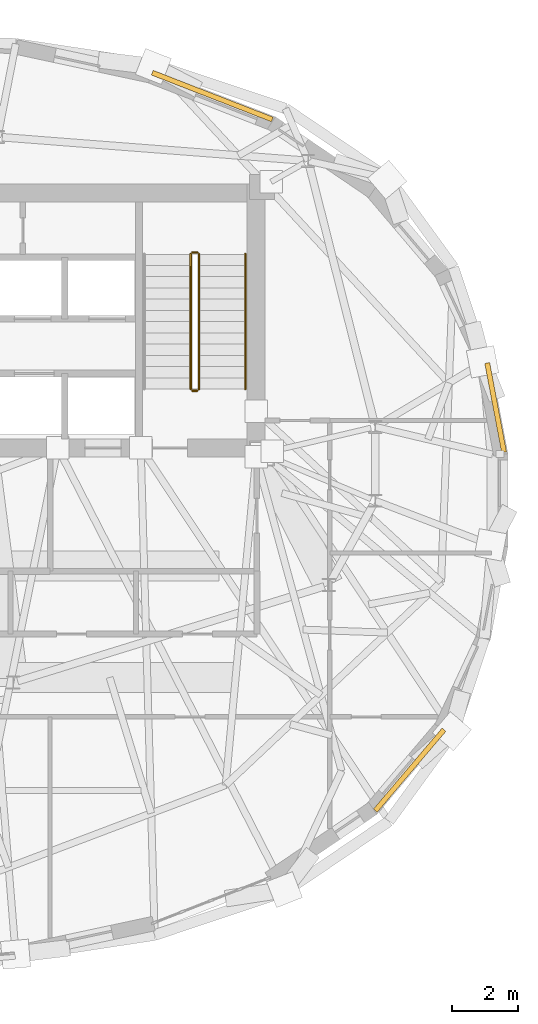
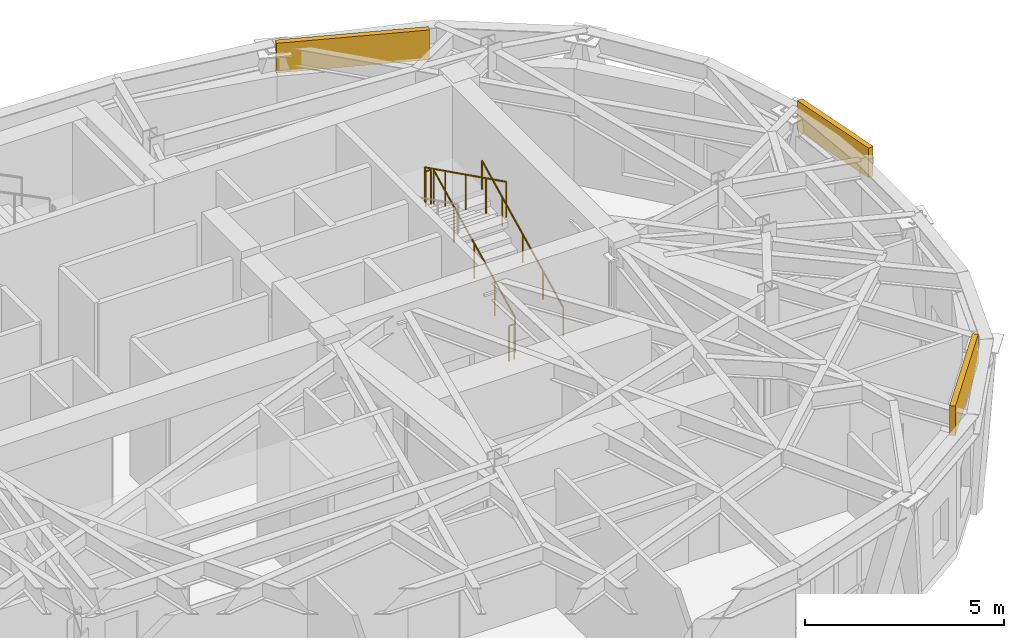
# One storey, part 15 of 15: 5 railings, 3 coverings.
"""IFC4 building model written with IfcOpenShell, lengths in metres."""

from ifc_helpers import new_model, si_unit, direction, frame, origin, origin_2d, place, context, subcontext, project, spatial, rectangle, circle, extrude, material, layer, layer_set, type_object, element, save


model = new_model("IFC4")

# Units and contexts
model_context = context("Model", 3, precision=1e-05, world=origin(), true_north=direction((0.0, 1.0)))
body_context = subcontext(model_context, "Body", "Model", "MODEL_VIEW")
ifc_project = project(units=[si_unit("LENGTHUNIT", "METRE"), si_unit("AREAUNIT", "SQUARE_METRE"), si_unit("VOLUMEUNIT", "CUBIC_METRE"), si_unit("PLANEANGLEUNIT", "RADIAN"), si_unit("MASSUNIT", "GRAM", prefix="KILO")], contexts=[model_context])

# Site, building, storey
site_placement = place(None, origin())
site = spatial("IfcSite", under=ifc_project, at=site_placement, CompositionType="ELEMENT")
building_placement = place(site_placement, origin())
building = spatial("IfcBuilding", under=site, at=building_placement, Name="Keldmark Tower", CompositionType="ELEMENT")
storey_placement = place(building_placement, frame((0.0, 0.0, 260.39990234375)))
storey = spatial("IfcBuildingStorey", under=building, at=storey_placement, Name="L74", CompositionType="ELEMENT", Elevation=260.39990234375)

# Coverings
ifc_material_1 = material(Name="Honed Kasota Buff Dolomitic Limestone", Category="masonry")
ifc_layer = layer(ifc_material_1, 0.074951171875)
ifc_layer_set = layer_set([ifc_layer], Name="Honed Kasota Buff Dolomitic Limestone")
covering_type = type_object("IfcCoveringType", Name="Kasota Buff Limestone Spandrel Cladding Band", PredefinedType="CLADDING", material=ifc_layer_set)
covering_1_placement = place(storey_placement, frame((20.659912109375, 2.7900390625, 3.47021484375), z_axis=(0.0, 0.0, 1.0), x_axis=(-0.185598015619, 0.982625756124, 0.0)))
element("IfcCovering", 1, at=covering_1_placement, inside=storey, type_object=covering_type, Name="L74 Kasota Limestone Spandrel Band 01", PredefinedType="CLADDING", context=body_context, shape_type="SweptSolid", body=[
    extrude(rectangle(XDim=2.74169921875, YDim=0.14990234375, at=origin_2d()), origin(), (0.0, 0.0, 1.0), 0.909912109375),
])
covering_2_placement = place(storey_placement, frame((12.102294921875, 12.199462890625, 3.47021484375), z_axis=(0.0, 0.0, 1.0), x_axis=(-0.931634156722, 0.363397575707, 0.0)))
element("IfcCovering", 2, at=covering_2_placement, inside=storey, type_object=covering_type, Name="L74 Kasota Limestone Spandrel Band 05", PredefinedType="CLADDING", context=body_context, shape_type="SweptSolid", body=[
    extrude(rectangle(XDim=3.890380859375, YDim=0.14990234375, at=origin_2d()), origin(), (0.0, 0.0, 1.0), 0.909912109375),
])
covering_3_placement = place(storey_placement, frame((18.062744140625, -8.160400390625, 3.47021484375), z_axis=(0.0, 0.0, 1.0), x_axis=(0.64708257544, 0.762419924033, 0.0)))
element("IfcCovering", 3, at=covering_3_placement, inside=storey, type_object=covering_type, Name="L74 Kasota Limestone Spandrel Band 29", PredefinedType="CLADDING", context=body_context, shape_type="SweptSolid", body=[
    extrude(rectangle(XDim=3.2021484375, YDim=0.14990234375, at=origin_2d()), origin(), (0.0, 0.0, 1.0), 0.909912109375),
])

# Railings
ifc_material_2 = material(Name="Painted Steel ASTM A500 Grade B", Category="steel")
railing_type_1 = type_object("IfcRailingType", Name="Painted Steel Stair Well Guard 1100 mm", PredefinedType="GUARDRAIL", material=ifc_material_2)
railing_1_placement = place(storey_placement, frame((11.699951171875, 3.35009765625, 0.16943359375)))
element("IfcRailing", 4, at=railing_1_placement, inside=storey, type_object=railing_type_1, Name="L74 ST2 stair guard 1", PredefinedType="GUARDRAIL", context=body_context, shape_type="SweptSolid", body=[
    extrude(circle(Radius=0.02392578125, at=origin_2d()), frame((0.0, 0.0, 1.076171875), z_axis=(0.0, 0.895229316009, 0.445605735777), x_axis=(-1.0, 0.0, 0.0)), (0.0, 0.0, 1.0), 4.557373046875),
    extrude(circle(Radius=0.02099609375, at=origin_2d()), origin(), (0.0, 0.0, 1.0), 1.052001953125),
    extrude(circle(Radius=0.02099609375, at=origin_2d()), frame((0.0, 1.02001953125, 0.5078125)), (0.0, 0.0, 1.0), 1.052001953125),
    extrude(circle(Radius=0.02099609375, at=origin_2d()), frame((0.0, 2.0400390625, 1.015380859375)), (0.0, 0.0, 1.0), 1.052001953125),
    extrude(circle(Radius=0.02099609375, at=origin_2d()), frame((0.0, 3.059814453125, 1.52294921875)), (0.0, 0.0, 1.0), 1.052001953125),
    extrude(circle(Radius=0.02099609375, at=origin_2d()), frame((0.0, 4.079833984375, 2.03076171875)), (0.0, 0.0, 1.0), 1.052001953125),
])
railing_2_placement = place(storey_placement, frame((11.64990234375, 7.47998046875, 2.2001953125)))
element("IfcRailing", 5, at=railing_2_placement, inside=storey, type_object=railing_type_1, Name="L74 ST2 stair guard 2", PredefinedType="GUARDRAIL", context=body_context, shape_type="SweptSolid", body=[
    extrude(circle(Radius=0.02392578125, at=origin_2d()), frame((0.0, 0.0, 1.076171875), z_axis=(-1.0, 0.0, 0.0), x_axis=(0.0, -1.0, 0.0)), (0.0, 0.0, 1.0), 0.14990234375),
    extrude(circle(Radius=0.02099609375, at=origin_2d()), origin(), (0.0, 0.0, 1.0), 1.052001953125),
    extrude(circle(Radius=0.02099609375, at=origin_2d()), frame((-0.14990234375, 0.0, 0.0)), (0.0, 0.0, 1.0), 1.052001953125),
])
railing_3_placement = place(storey_placement, frame((11.449951171875, 7.429931640625, 2.369384765625)))
element("IfcRailing", 6, at=railing_3_placement, inside=storey, type_object=railing_type_1, Name="L74 ST2 stair guard 3", PredefinedType="GUARDRAIL", context=body_context, shape_type="SweptSolid", body=[
    extrude(circle(Radius=0.02392578125, at=origin_2d()), frame((0.0, 0.0, 1.076171875), z_axis=(0.0, -0.895229316009, 0.445605735777), x_axis=(1.0, 0.0, 0.0)), (0.0, 0.0, 1.0), 4.557373046875),
    extrude(circle(Radius=0.02099609375, at=origin_2d()), origin(), (0.0, 0.0, 1.0), 1.052001953125),
    extrude(circle(Radius=0.02099609375, at=origin_2d()), frame((0.0, -1.02001953125, 0.5078125)), (0.0, 0.0, 1.0), 1.052001953125),
    extrude(circle(Radius=0.02099609375, at=origin_2d()), frame((0.0, -2.0400390625, 1.015380859375)), (0.0, 0.0, 1.0), 1.052001953125),
    extrude(circle(Radius=0.02099609375, at=origin_2d()), frame((0.0, -3.059814453125, 1.52294921875)), (0.0, 0.0, 1.0), 1.052001953125),
    extrude(circle(Radius=0.02099609375, at=origin_2d()), frame((0.0, -4.079833984375, 2.03076171875)), (0.0, 0.0, 1.0), 1.052001953125),
])
railing_4_placement = place(storey_placement, frame((11.64990234375, 3.300048828125, 0.0)))
element("IfcRailing", 7, at=railing_4_placement, inside=storey, type_object=railing_type_1, Name="L74 ST2 stair guard 4", PredefinedType="GUARDRAIL", context=body_context, shape_type="SweptSolid", body=[
    extrude(circle(Radius=0.02392578125, at=origin_2d()), frame((0.0, 0.0, 1.076171875), z_axis=(-1.0, 0.0, 0.0), x_axis=(0.0, -1.0, 0.0)), (0.0, 0.0, 1.0), 0.14990234375),
    extrude(circle(Radius=0.02099609375, at=origin_2d()), origin(), (0.0, 0.0, 1.0), 1.052001953125),
    extrude(circle(Radius=0.02099609375, at=origin_2d()), frame((-0.14990234375, 0.0, 0.0)), (0.0, 0.0, 1.0), 1.052001953125),
])
ifc_material_3 = material(Name="Stainless Steel AISI 316L", Category="steel")
railing_type_2 = type_object("IfcRailingType", Name="Stainless Steel Stair Handrail 900 mm", PredefinedType="HANDRAIL", material=ifc_material_3)
railing_5_placement = place(storey_placement, frame((13.10009765625, 3.35009765625, 0.16943359375)))
element("IfcRailing", 8, at=railing_5_placement, inside=storey, type_object=railing_type_2, Name="L74 ST2 stair handrail 1", PredefinedType="HANDRAIL", context=body_context, shape_type="SweptSolid", body=[
    extrude(circle(Radius=0.02392578125, at=origin_2d()), frame((0.0, 0.0, 0.8759765625), z_axis=(0.0, 0.895229316009, 0.445605735777), x_axis=(-1.0, 0.0, 0.0)), (0.0, 0.0, 1.0), 4.557373046875),
    extrude(circle(Radius=0.02099609375, at=origin_2d()), origin(), (0.0, 0.0, 1.0), 0.851806640625),
    extrude(circle(Radius=0.02099609375, at=origin_2d()), frame((0.0, 1.02001953125, 0.5078125)), (0.0, 0.0, 1.0), 0.851806640625),
    extrude(circle(Radius=0.02099609375, at=origin_2d()), frame((0.0, 2.0400390625, 1.015380859375)), (0.0, 0.0, 1.0), 0.851806640625),
    extrude(circle(Radius=0.02099609375, at=origin_2d()), frame((0.0, 3.059814453125, 1.52294921875)), (0.0, 0.0, 1.0), 0.851806640625),
    extrude(circle(Radius=0.02099609375, at=origin_2d()), frame((0.0, 4.079833984375, 2.03076171875)), (0.0, 0.0, 1.0), 0.851806640625),
])

save(model, "model.ifc")
